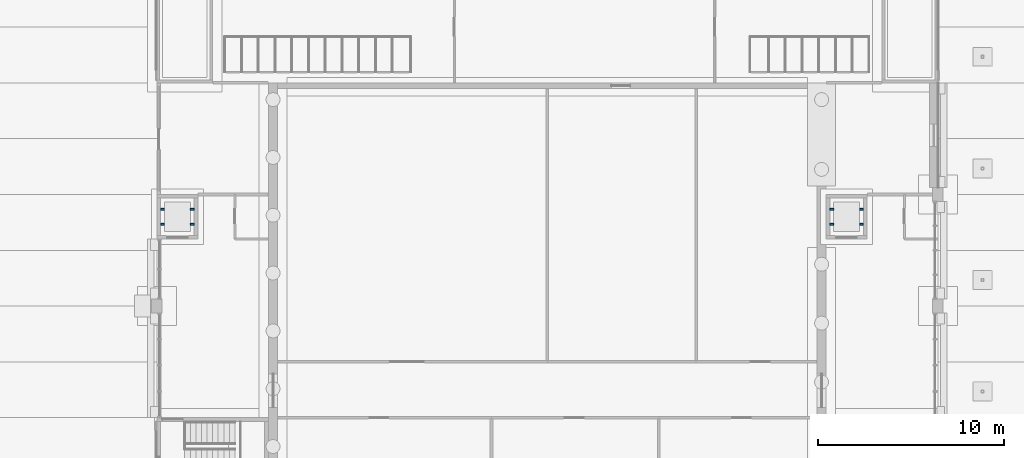
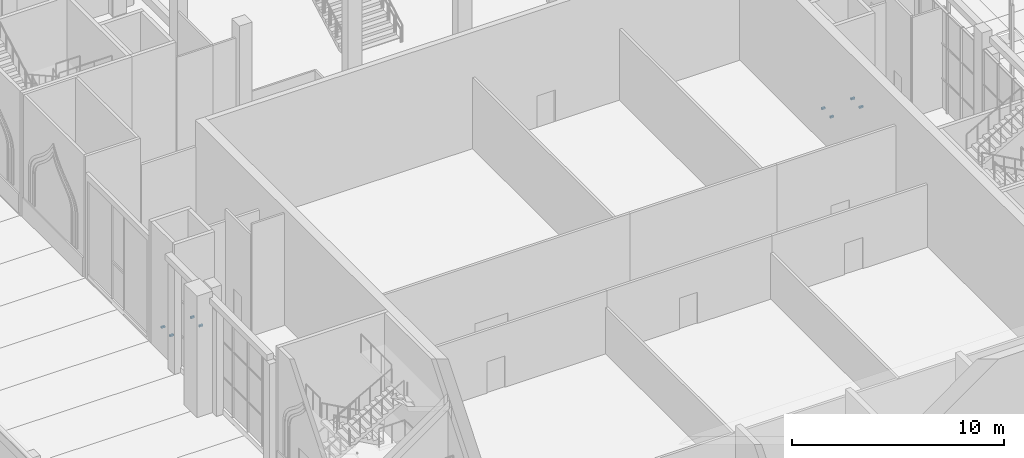
# One storey, part 57 of 95: 8 discrete accessories.
"""IFC4 building model written with IfcOpenShell, lengths in metres."""

from ifc_helpers import new_model, si_unit, direction, frame, origin, origin_2d, place, context, subcontext, project, spatial, rectangle, extrude, element, save


model = new_model("IFC4")

# Units and contexts
model_context = context("Model", 3, precision=1e-05, world=origin(), true_north=direction((0.0, 1.0)))
body_context = subcontext(model_context, "Body", "Model", "MODEL_VIEW")
ifc_project = project(units=[si_unit("LENGTHUNIT", "METRE"), si_unit("AREAUNIT", "SQUARE_METRE"), si_unit("VOLUMEUNIT", "CUBIC_METRE"), si_unit("PLANEANGLEUNIT", "RADIAN"), si_unit("MASSUNIT", "GRAM", prefix="KILO")], contexts=[model_context])

# Site, building, storey
site_placement = place(None, origin())
site = spatial("IfcSite", under=ifc_project, at=site_placement, CompositionType="ELEMENT")
building_placement = place(site_placement, origin())
building = spatial("IfcBuilding", under=site, at=building_placement, Name="Saffron Lane Theatres", CompositionType="ELEMENT")
storey_placement = place(building_placement, origin())
storey = spatial("IfcBuildingStorey", under=building, at=storey_placement, Name="L00", CompositionType="ELEMENT", Elevation=0.0)

# Discrete accessories
for number, where, z_axis, x_axis, name in (
    (1, (12.300048828125, 82.39990234375, 1.14990234375), (0.0, 0.0, 1.0), (1.0, 0.0, 0.0), "Auditorium West Accessible Lift guide bracket"),
    (2, (12.300048828125, 83.199951171875, 1.14990234375), (0.0, 0.0, 1.0), (1.0, 0.0, 0.0), "Auditorium West Accessible Lift guide bracket"),
    (3, (13.89990234375, 82.39990234375, 1.14990234375), (0.0, 0.0, 1.0), (1.0, 0.0, 0.0), "Auditorium West Accessible Lift guide bracket"),
    (4, (13.89990234375, 83.199951171875, 1.14990234375), (0.0, 0.0, 1.0), (1.0, 0.0, 0.0), "Auditorium West Accessible Lift guide bracket"),
    (5, (48.300048828125, 82.39990234375, 1.14990234375), (0.0, 0.0, 1.0), (1.0, 0.0, 0.0), "Auditorium East Accessible Lift guide bracket"),
    (6, (48.300048828125, 83.199951171875, 1.14990234375), (0.0, 0.0, 1.0), (1.0, 0.0, 0.0), "Auditorium East Accessible Lift guide bracket"),
    (7, (49.89990234375, 82.39990234375, 1.14990234375), (0.0, 0.0, 1.0), (1.0, 0.0, 0.0), "Auditorium East Accessible Lift guide bracket"),
    (8, (49.89990234375, 83.199951171875, 1.14990234375), (0.0, 0.0, 1.0), (1.0, 0.0, 0.0), "Auditorium East Accessible Lift guide bracket"),
):
    element("IfcDiscreteAccessory", number, at=place(storey_placement, frame(where, z_axis=z_axis, x_axis=x_axis)), inside=storey, Name=name, PredefinedType="BRACKET", context=body_context, shape_type="SweptSolid", body=[
        extrude(rectangle(XDim=0.199951171875, YDim=0.10009765625, at=origin_2d()), origin(), (0.0, 0.0, 1.0), 0.10009765625),
    ])

save(model, "model.ifc")
